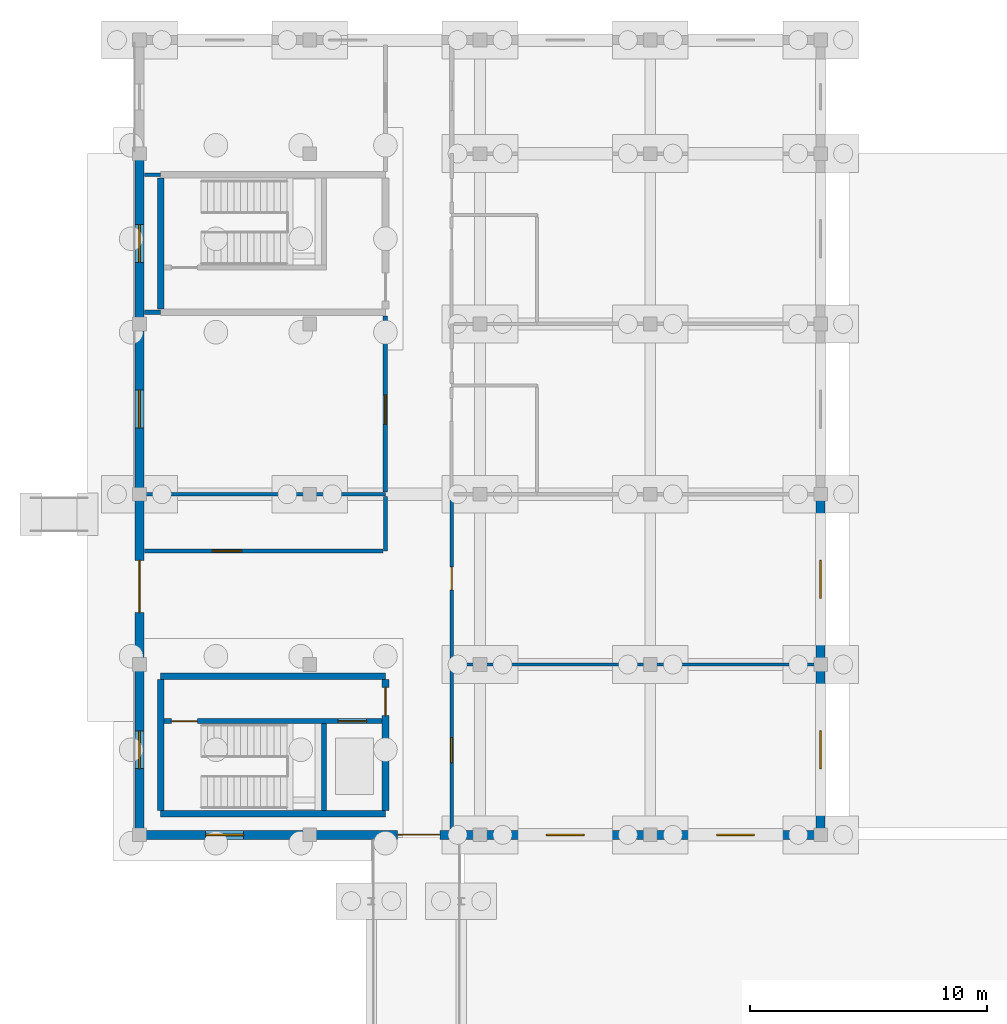
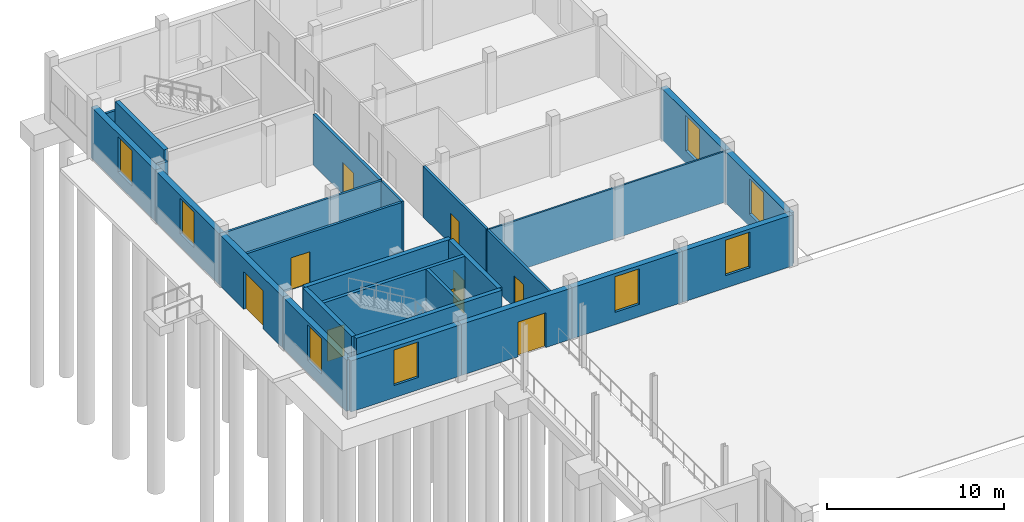
# One storey, part 79 of 98: 26 walls, 9 doors, 8 windows, 17 openings.
"""IFC4 building model written with IfcOpenShell, lengths in metres."""

from ifc_helpers import new_model, si_unit, direction, frame, frame_2d, origin, place, context, subcontext, project, spatial, rectangle, extrude, material, layer, layer_set, type_object, element, fill, save


model = new_model("IFC4")

# Units and contexts
model_context = context("Model", 3, precision=1e-05, world=origin(), true_north=direction((0.0, 1.0)))
body_context = subcontext(model_context, "Body", "Model", "MODEL_VIEW")
ifc_project = project(units=[si_unit("LENGTHUNIT", "METRE"), si_unit("AREAUNIT", "SQUARE_METRE"), si_unit("VOLUMEUNIT", "CUBIC_METRE"), si_unit("PLANEANGLEUNIT", "RADIAN"), si_unit("MASSUNIT", "GRAM", prefix="KILO")], contexts=[model_context])

# Site, building, storey
site_placement = place(None, origin())
site = spatial("IfcSite", under=ifc_project, at=site_placement, CompositionType="ELEMENT")
building_placement = place(site_placement, origin())
building = spatial("IfcBuilding", under=site, at=building_placement, Name="Zornivar Specialist Clinic", CompositionType="ELEMENT")
storey_placement = place(building_placement, origin())
storey = spatial("IfcBuildingStorey", under=building, at=storey_placement, Name="L00", CompositionType="ELEMENT", Elevation=0.0)

# Wall, opening, window
ifc_material_1 = material(Name="Masonry Vratsa Limestone and Brick Banded Wall", Category="masonry")
ifc_layer_1 = layer(ifc_material_1, 0.3798828125)
ifc_layer_set_1 = layer_set([ifc_layer_1], Name="Masonry Vratsa Limestone and Brick Banded Wall")
wall_type_1 = type_object("IfcWallType", Name="EW-LIMESTONE-380", PredefinedType="SOLIDWALL", material=ifc_layer_set_1)
wall_1_placement = place(storey_placement, frame((0.0, 79.199951171875, 0.0), z_axis=(0.0, 0.0, 1.0), x_axis=(1.0, 0.0, 0.0)))
wall_1 = element("IfcWall", 1, at=wall_1_placement, inside=storey, type_object=wall_type_1, Name="ew:V5:L00:00", PredefinedType="SOLIDWALL", context=body_context, shape_type="SweptSolid", body=[
    extrude(rectangle(XDim=7.199951171875, YDim=0.3798828125, at=frame_2d((3.60009765625, 0.0))), origin(), (0.0, 0.0, 1.0), 3.52001953125),
])
opening_1_placement = place(wall_1_placement, frame((2.800048828125, 0.0, 0.85009765625)))
opening_1 = element("IfcOpeningElement", 2, at=opening_1_placement, cuts=wall_1, Name="Opening W-01", PredefinedType="OPENING", context=body_context, shape_type="SweptSolid", body=[
    extrude(rectangle(XDim=1.60009765625, YDim=2.449951171875, at=frame_2d((0.800048828125, 1.22509765625))), frame((0.0, 0.199951171875, 0.0), z_axis=(0.0, -1.0, 0.0), x_axis=(1.0, 0.0, 0.0)), (0.0, 0.0, 1.0), 0.39990234375),
])
ifc_material_2 = material(Name="Triple-Glazed Aluminium-Timber Window Glass", Category="wood")
window_type = type_object("IfcWindowType", Name="WIN-PLINTH-MOD-1600x2450", PartitioningType="SINGLE_PANEL", PredefinedType="WINDOW", material=ifc_material_2)
window_1_placement = place(opening_1_placement, origin())
window_1 = element("IfcWindow", 3, at=window_1_placement, inside=storey, type_object=window_type, Name="win:V5:L00:00", OverallHeight=2.449951171875, OverallWidth=1.60009765625, PartitioningType="SINGLE_PANEL", PredefinedType="WINDOW", context=body_context, shape_type="SweptSolid", body=[
    extrude(rectangle(XDim=1.60009765625, YDim=2.449951171875, at=frame_2d((0.800048828125, 1.22509765625))), frame((0.0, 0.030029296875, 0.0), z_axis=(0.0, -1.0, 0.0), x_axis=(1.0, 0.0, 0.0)), (0.0, 0.0, 1.0), 0.06005859375),
])
fill(opening_1, window_1)

# Wall, opening, door
wall_2_placement = place(storey_placement, frame((7.199951171875, 79.199951171875, 0.0), z_axis=(0.0, 0.0, 1.0), x_axis=(1.0, 0.0, 0.0)))
wall_2 = element("IfcWall", 4, at=wall_2_placement, inside=storey, type_object=wall_type_1, Name="ew:V5:L00:01", PredefinedType="SOLIDWALL", context=body_context, shape_type="SweptSolid", body=[
    extrude(rectangle(XDim=7.199951171875, YDim=0.3798828125, at=frame_2d((3.60009765625, 0.0))), origin(), (0.0, 0.0, 1.0), 3.52001953125),
])
opening_2_placement = place(wall_2_placement, frame((3.699951171875, 0.0, 0.0)))
opening_2 = element("IfcOpeningElement", 5, at=opening_2_placement, cuts=wall_2, Name="Opening ED-03", PredefinedType="OPENING", context=body_context, shape_type="SweptSolid", body=[
    extrude(rectangle(XDim=1.800048828125, YDim=2.39990234375, at=frame_2d((0.89990234375, 1.199951171875))), frame((0.0, 0.199951171875, 0.0), z_axis=(0.0, -1.0, 0.0), x_axis=(1.0, 0.0, 0.0)), (0.0, 0.0, 1.0), 0.39990234375),
])
ifc_material_3 = material(Name="Thermally Broken Glazed Aluminium Door", Category="aluminium")
door_type_1 = type_object("IfcDoorType", Name="ED-ENTRY-1800x2400", OperationType="NOTDEFINED", PredefinedType="DOOR", material=ifc_material_3)
door_1_placement = place(opening_2_placement, origin())
door_1 = element("IfcDoor", 6, at=door_1_placement, inside=storey, type_object=door_type_1, Name="door:V5:L00:br2", OperationType="DOUBLE_DOOR_SINGLE_SWING", OverallHeight=2.39990234375, OverallWidth=1.800048828125, PredefinedType="DOOR", context=body_context, shape_type="SweptSolid", body=[
    extrude(rectangle(XDim=1.800048828125, YDim=2.39990234375, at=frame_2d((0.89990234375, 1.199951171875))), frame((0.0, 0.02490234375, 0.0), z_axis=(0.0, -1.0, 0.0), x_axis=(1.0, 0.0, 0.0)), (0.0, 0.0, 1.0), 0.050048828125),
])
fill(opening_2, door_1)

# Wall, opening, window
wall_3_placement = place(storey_placement, frame((14.39990234375, 79.199951171875, 0.0), z_axis=(0.0, 0.0, 1.0), x_axis=(1.0, 0.0, 0.0)))
wall_3 = element("IfcWall", 7, at=wall_3_placement, inside=storey, type_object=wall_type_1, Name="ew:V5:L00:02", PredefinedType="SOLIDWALL", context=body_context, shape_type="SweptSolid", body=[
    extrude(rectangle(XDim=7.2001953125, YDim=0.3798828125, at=frame_2d((3.60009765625, 0.0))), origin(), (0.0, 0.0, 1.0), 3.52001953125),
])
opening_3_placement = place(wall_3_placement, frame((2.800048828125, 0.0, 0.85009765625)))
opening_3 = element("IfcOpeningElement", 8, at=opening_3_placement, cuts=wall_3, Name="Opening W-01", PredefinedType="OPENING", context=body_context, shape_type="SweptSolid", body=[
    extrude(rectangle(XDim=1.60009765625, YDim=2.449951171875, at=frame_2d((0.800048828125, 1.22509765625))), frame((0.0, 0.199951171875, 0.0), z_axis=(0.0, -1.0, 0.0), x_axis=(1.0, 0.0, 0.0)), (0.0, 0.0, 1.0), 0.39990234375),
])
window_2_placement = place(opening_3_placement, origin())
window_2 = element("IfcWindow", 9, at=window_2_placement, inside=storey, type_object=window_type, Name="win:V5:L00:02", OverallHeight=2.449951171875, OverallWidth=1.60009765625, PartitioningType="SINGLE_PANEL", PredefinedType="WINDOW", context=body_context, shape_type="SweptSolid", body=[
    extrude(rectangle(XDim=1.60009765625, YDim=2.449951171875, at=frame_2d((0.800048828125, 1.22509765625))), frame((0.0, 0.030029296875, 0.0), z_axis=(0.0, -1.0, 0.0), x_axis=(1.0, 0.0, 0.0)), (0.0, 0.0, 1.0), 0.06005859375),
])
fill(opening_3, window_2)

wall_4_placement = place(storey_placement, frame((21.60009765625, 79.199951171875, 0.0), z_axis=(0.0, 0.0, 1.0), x_axis=(1.0, 0.0, 0.0)))
wall_4 = element("IfcWall", 10, at=wall_4_placement, inside=storey, type_object=wall_type_1, Name="ew:V5:L00:03", PredefinedType="SOLIDWALL", context=body_context, shape_type="SweptSolid", body=[
    extrude(rectangle(XDim=7.199951171875, YDim=0.3798828125, at=frame_2d((3.60009765625, 0.0))), origin(), (0.0, 0.0, 1.0), 3.52001953125),
])
opening_4_placement = place(wall_4_placement, frame((2.800048828125, 0.0, 0.85009765625)))
opening_4 = element("IfcOpeningElement", 11, at=opening_4_placement, cuts=wall_4, Name="Opening W-01", PredefinedType="OPENING", context=body_context, shape_type="SweptSolid", body=[
    extrude(rectangle(XDim=1.60009765625, YDim=2.449951171875, at=frame_2d((0.800048828125, 1.22509765625))), frame((0.0, 0.199951171875, 0.0), z_axis=(0.0, -1.0, 0.0), x_axis=(1.0, 0.0, 0.0)), (0.0, 0.0, 1.0), 0.39990234375),
])
window_3_placement = place(opening_4_placement, origin())
window_3 = element("IfcWindow", 12, at=window_3_placement, inside=storey, type_object=window_type, Name="win:V5:L00:03", OverallHeight=2.449951171875, OverallWidth=1.60009765625, PartitioningType="SINGLE_PANEL", PredefinedType="WINDOW", context=body_context, shape_type="SweptSolid", body=[
    extrude(rectangle(XDim=1.60009765625, YDim=2.449951171875, at=frame_2d((0.800048828125, 1.22509765625))), frame((0.0, 0.030029296875, 0.0), z_axis=(0.0, -1.0, 0.0), x_axis=(1.0, 0.0, 0.0)), (0.0, 0.0, 1.0), 0.06005859375),
])
fill(opening_4, window_3)

wall_5_placement = place(storey_placement, frame((28.800048828125, 79.199951171875, 0.0), z_axis=(0.0, 0.0, 1.0), x_axis=(0.0, 1.0, 0.0)))
wall_5 = element("IfcWall", 13, at=wall_5_placement, inside=storey, type_object=wall_type_1, Name="ew:V5:L00:04", PredefinedType="SOLIDWALL", context=body_context, shape_type="SweptSolid", body=[
    extrude(rectangle(XDim=7.199951171875, YDim=0.3798828125, at=frame_2d((3.60009765625, 0.0))), origin(), (0.0, 0.0, 1.0), 3.52001953125),
])
opening_5_placement = place(wall_5_placement, frame((2.800048828125, 0.0, 0.85009765625)))
opening_5 = element("IfcOpeningElement", 14, at=opening_5_placement, cuts=wall_5, Name="Opening W-01", PredefinedType="OPENING", context=body_context, shape_type="SweptSolid", body=[
    extrude(rectangle(XDim=1.60009765625, YDim=2.449951171875, at=frame_2d((0.800048828125, 1.22509765625))), frame((0.0, 0.199951171875, 0.0), z_axis=(0.0, -1.0, 0.0), x_axis=(1.0, 0.0, 0.0)), (0.0, 0.0, 1.0), 0.39990234375),
])
window_4_placement = place(opening_5_placement, origin())
window_4 = element("IfcWindow", 15, at=window_4_placement, inside=storey, type_object=window_type, Name="win:V5:L00:04", OverallHeight=2.449951171875, OverallWidth=1.60009765625, PartitioningType="SINGLE_PANEL", PredefinedType="WINDOW", context=body_context, shape_type="SweptSolid", body=[
    extrude(rectangle(XDim=1.60009765625, YDim=2.449951171875, at=frame_2d((0.800048828125, 1.22509765625))), frame((0.0, 0.030029296875, 0.0), z_axis=(0.0, -1.0, 0.0), x_axis=(1.0, 0.0, 0.0)), (0.0, 0.0, 1.0), 0.06005859375),
])
fill(opening_5, window_4)

wall_6_placement = place(storey_placement, frame((28.800048828125, 86.39990234375, 0.0), z_axis=(0.0, 0.0, 1.0), x_axis=(0.0, 1.0, 0.0)))
wall_6 = element("IfcWall", 16, at=wall_6_placement, inside=storey, type_object=wall_type_1, Name="ew:V5:L00:05", PredefinedType="SOLIDWALL", context=body_context, shape_type="SweptSolid", body=[
    extrude(rectangle(XDim=7.2001953125, YDim=0.3798828125, at=frame_2d((3.60009765625, 0.0))), origin(), (0.0, 0.0, 1.0), 3.52001953125),
])
opening_6_placement = place(wall_6_placement, frame((2.800048828125, 0.0, 0.85009765625)))
opening_6 = element("IfcOpeningElement", 17, at=opening_6_placement, cuts=wall_6, Name="Opening W-01", PredefinedType="OPENING", context=body_context, shape_type="SweptSolid", body=[
    extrude(rectangle(XDim=1.60009765625, YDim=2.449951171875, at=frame_2d((0.800048828125, 1.22509765625))), frame((0.0, 0.199951171875, 0.0), z_axis=(0.0, -1.0, 0.0), x_axis=(1.0, 0.0, 0.0)), (0.0, 0.0, 1.0), 0.39990234375),
])
window_5_placement = place(opening_6_placement, origin())
window_5 = element("IfcWindow", 18, at=window_5_placement, inside=storey, type_object=window_type, Name="win:V5:L00:05", OverallHeight=2.449951171875, OverallWidth=1.60009765625, PartitioningType="SINGLE_PANEL", PredefinedType="WINDOW", context=body_context, shape_type="SweptSolid", body=[
    extrude(rectangle(XDim=1.60009765625, YDim=2.449951171875, at=frame_2d((0.800048828125, 1.22509765625))), frame((0.0, 0.030029296875, 0.0), z_axis=(0.0, -1.0, 0.0), x_axis=(1.0, 0.0, 0.0)), (0.0, 0.0, 1.0), 0.06005859375),
])
fill(opening_6, window_5)

wall_7_placement = place(storey_placement, frame((0.0, 108.0, 0.0), z_axis=(0.0, 0.0, 1.0), x_axis=(0.0, -1.0, 0.0)))
wall_7 = element("IfcWall", 19, at=wall_7_placement, inside=storey, type_object=wall_type_1, Name="ew:V5:L00:14", PredefinedType="SOLIDWALL", context=body_context, shape_type="SweptSolid", body=[
    extrude(rectangle(XDim=7.199951171875, YDim=0.3798828125, at=frame_2d((3.60009765625, 0.0))), origin(), (0.0, 0.0, 1.0), 3.52001953125),
])
opening_7_placement = place(wall_7_placement, frame((3.0, 0.0, 0.85009765625)))
opening_7 = element("IfcOpeningElement", 20, at=opening_7_placement, cuts=wall_7, Name="Opening W-01", PredefinedType="OPENING", context=body_context, shape_type="SweptSolid", body=[
    extrude(rectangle(XDim=1.60009765625, YDim=2.449951171875, at=frame_2d((0.800048828125, 1.22509765625))), frame((0.0, 0.199951171875, 0.0), z_axis=(0.0, -1.0, 0.0), x_axis=(1.0, 0.0, 0.0)), (0.0, 0.0, 1.0), 0.39990234375),
])
window_6_placement = place(opening_7_placement, origin())
window_6 = element("IfcWindow", 21, at=window_6_placement, inside=storey, type_object=window_type, Name="win:V5:L00:14", OverallHeight=2.449951171875, OverallWidth=1.60009765625, PartitioningType="SINGLE_PANEL", PredefinedType="WINDOW", context=body_context, shape_type="SweptSolid", body=[
    extrude(rectangle(XDim=1.60009765625, YDim=2.449951171875, at=frame_2d((0.800048828125, 1.22509765625))), frame((0.0, 0.030029296875, 0.0), z_axis=(0.0, -1.0, 0.0), x_axis=(1.0, 0.0, 0.0)), (0.0, 0.0, 1.0), 0.06005859375),
])
fill(opening_7, window_6)

wall_8_placement = place(storey_placement, frame((0.0, 100.800048828125, 0.0), z_axis=(0.0, 0.0, 1.0), x_axis=(0.0, -1.0, 0.0)))
wall_8 = element("IfcWall", 22, at=wall_8_placement, inside=storey, type_object=wall_type_1, Name="ew:V5:L00:15", PredefinedType="SOLIDWALL", context=body_context, shape_type="SweptSolid", body=[
    extrude(rectangle(XDim=7.199951171875, YDim=0.3798828125, at=frame_2d((3.60009765625, 0.0))), origin(), (0.0, 0.0, 1.0), 3.52001953125),
])
opening_8_placement = place(wall_8_placement, frame((2.800048828125, 0.0, 0.85009765625)))
opening_8 = element("IfcOpeningElement", 23, at=opening_8_placement, cuts=wall_8, Name="Opening W-01", PredefinedType="OPENING", context=body_context, shape_type="SweptSolid", body=[
    extrude(rectangle(XDim=1.60009765625, YDim=2.449951171875, at=frame_2d((0.800048828125, 1.22509765625))), frame((0.0, 0.199951171875, 0.0), z_axis=(0.0, -1.0, 0.0), x_axis=(1.0, 0.0, 0.0)), (0.0, 0.0, 1.0), 0.39990234375),
])
window_7_placement = place(opening_8_placement, origin())
window_7 = element("IfcWindow", 24, at=window_7_placement, inside=storey, type_object=window_type, Name="win:V5:L00:15", OverallHeight=2.449951171875, OverallWidth=1.60009765625, PartitioningType="SINGLE_PANEL", PredefinedType="WINDOW", context=body_context, shape_type="SweptSolid", body=[
    extrude(rectangle(XDim=1.60009765625, YDim=2.449951171875, at=frame_2d((0.800048828125, 1.22509765625))), frame((0.0, 0.030029296875, 0.0), z_axis=(0.0, -1.0, 0.0), x_axis=(1.0, 0.0, 0.0)), (0.0, 0.0, 1.0), 0.06005859375),
])
fill(opening_8, window_7)

# Wall, opening, door
wall_9_placement = place(storey_placement, frame((0.0, 93.60009765625, 0.0), z_axis=(0.0, 0.0, 1.0), x_axis=(0.0, -1.0, 0.0)))
wall_9 = element("IfcWall", 25, at=wall_9_placement, inside=storey, type_object=wall_type_1, Name="ew:V5:L00:16", PredefinedType="SOLIDWALL", context=body_context, shape_type="SweptSolid", body=[
    extrude(rectangle(XDim=7.2001953125, YDim=0.3798828125, at=frame_2d((3.60009765625, 0.0))), origin(), (0.0, 0.0, 1.0), 3.52001953125),
])
opening_9_placement = place(wall_9_placement, frame((2.800048828125, 0.0, 0.0)))
opening_9 = element("IfcOpeningElement", 26, at=opening_9_placement, cuts=wall_9, Name="Opening ED-01", PredefinedType="OPENING", context=body_context, shape_type="SweptSolid", body=[
    extrude(rectangle(XDim=2.199951171875, YDim=2.60009765625, at=frame_2d((1.10009765625, 1.300048828125))), frame((0.0, 0.199951171875, 0.0), z_axis=(0.0, -1.0, 0.0), x_axis=(1.0, 0.0, 0.0)), (0.0, 0.0, 1.0), 0.39990234375),
])
ifc_material_4 = material(Name="Thermally Broken Glazed Aluminium Door", Category="aluminium")
door_type_2 = type_object("IfcDoorType", Name="ED-MAIN-2200x2600", OperationType="NOTDEFINED", PredefinedType="DOOR", material=ifc_material_4)
door_2_placement = place(opening_9_placement, frame((2.199951171875, 0.0, 0.0), z_axis=(0.0, 0.0, 1.0), x_axis=(-1.0, 0.0, 0.0)))
door_2 = element("IfcDoor", 27, at=door_2_placement, inside=storey, type_object=door_type_2, Name="door:V5:L00:16", OperationType="DOUBLE_DOOR_SINGLE_SWING", OverallHeight=2.60009765625, OverallWidth=2.199951171875, PredefinedType="DOOR", context=body_context, shape_type="SweptSolid", body=[
    extrude(rectangle(XDim=2.199951171875, YDim=2.60009765625, at=frame_2d((1.10009765625, 1.300048828125))), frame((0.0, 0.02490234375, 0.0), z_axis=(0.0, -1.0, 0.0), x_axis=(1.0, 0.0, 0.0)), (0.0, 0.0, 1.0), 0.050048828125),
])
fill(opening_9, door_2)

# Wall, opening, window
wall_10_placement = place(storey_placement, frame((0.0, 86.39990234375, 0.0), z_axis=(0.0, 0.0, 1.0), x_axis=(0.0, -1.0, 0.0)))
wall_10 = element("IfcWall", 28, at=wall_10_placement, inside=storey, type_object=wall_type_1, Name="ew:V5:L00:17", PredefinedType="SOLIDWALL", context=body_context, shape_type="SweptSolid", body=[
    extrude(rectangle(XDim=7.199951171875, YDim=0.3798828125, at=frame_2d((3.60009765625, 0.0))), origin(), (0.0, 0.0, 1.0), 3.52001953125),
])
opening_10_placement = place(wall_10_placement, frame((2.800048828125, 0.0, 0.85009765625)))
opening_10 = element("IfcOpeningElement", 29, at=opening_10_placement, cuts=wall_10, Name="Opening W-01", PredefinedType="OPENING", context=body_context, shape_type="SweptSolid", body=[
    extrude(rectangle(XDim=1.60009765625, YDim=2.449951171875, at=frame_2d((0.800048828125, 1.22509765625))), frame((0.0, 0.199951171875, 0.0), z_axis=(0.0, -1.0, 0.0), x_axis=(1.0, 0.0, 0.0)), (0.0, 0.0, 1.0), 0.39990234375),
])
window_8_placement = place(opening_10_placement, origin())
window_8 = element("IfcWindow", 30, at=window_8_placement, inside=storey, type_object=window_type, Name="win:V5:L00:17", OverallHeight=2.449951171875, OverallWidth=1.60009765625, PartitioningType="SINGLE_PANEL", PredefinedType="WINDOW", context=body_context, shape_type="SweptSolid", body=[
    extrude(rectangle(XDim=1.60009765625, YDim=2.449951171875, at=frame_2d((0.800048828125, 1.22509765625))), frame((0.0, 0.030029296875, 0.0), z_axis=(0.0, -1.0, 0.0), x_axis=(1.0, 0.0, 0.0)), (0.0, 0.0, 1.0), 0.06005859375),
])
fill(opening_10, window_8)

# Wall
ifc_material_5 = material(Name="Gypsum Fire-Rated Double Stud Partition")
ifc_layer_2 = layer(ifc_material_5, 0.159912109375)
ifc_layer_set_2 = layer_set([ifc_layer_2], Name="Gypsum Fire-Rated Double Stud Partition")
wall_type_2 = type_object("IfcWallType", Name="IW-CORR-EI60-160", PredefinedType="PARTITIONING", material=ifc_layer_set_2)
wall_11_placement = place(storey_placement, frame((10.39990234375, 93.510986328125, 0.0), z_axis=(0.0, 0.0, 1.0), x_axis=(0.0, -1.0, 0.0)))
element("IfcWall", 31, at=wall_11_placement, inside=storey, type_object=wall_type_2, Name="iw:L00:174", PredefinedType="PARTITIONING", context=body_context, shape_type="SweptSolid", body=[
    extrude(rectangle(XDim=2.31103515625, YDim=0.159912109375, at=frame_2d((1.155517578125, 0.0))), origin(), (0.0, 0.0, 1.0), 3.5),
])

# Wall, opening, door
wall_12_placement = place(storey_placement, frame((10.305908203125, 91.199951171875, 0.0), z_axis=(0.0, 0.0, 1.0), x_axis=(-1.0, 0.0, 0.0)))
wall_12 = element("IfcWall", 32, at=wall_12_placement, inside=storey, type_object=wall_type_2, Name="iw:L00:175", PredefinedType="PARTITIONING", context=body_context, shape_type="SweptSolid", body=[
    extrude(rectangle(XDim=10.100830078125, YDim=0.159912109375, at=frame_2d((5.05029296875, 0.0))), origin(), (0.0, 0.0, 1.0), 3.5),
])
opening_11_placement = place(wall_12_placement, frame((5.97998046875, 0.0, 0.0)))
opening_11 = element("IfcOpeningElement", 33, at=opening_11_placement, cuts=wall_12, Name="Opening FD-06", PredefinedType="OPENING", context=body_context, shape_type="SweptSolid", body=[
    extrude(rectangle(XDim=1.25, YDim=2.199951171875, at=frame_2d((0.625, 1.10009765625))), frame((0.0, 0.08984375, 0.0), z_axis=(0.0, -1.0, 0.0), x_axis=(1.0, 0.0, 0.0)), (0.0, 0.0, 1.0), 0.179931640625),
])
ifc_material_6 = material(Name="Solid-Core Hygienic Laminate Timber Door", Category="wood")
door_type_3 = type_object("IfcDoorType", Name="FD-PHARM-GMP-1250x2200", OperationType="NOTDEFINED", PredefinedType="DOOR", material=ifc_material_6)
door_3_placement = place(opening_11_placement, origin())
door_3 = element("IfcDoor", 34, at=door_3_placement, inside=storey, type_object=door_type_3, Name="door:space:V5:L00:rm:00", OperationType="SINGLE_SWING_RIGHT", OverallHeight=2.199951171875, OverallWidth=1.25, PredefinedType="DOOR", context=body_context, shape_type="SweptSolid", body=[
    extrude(rectangle(XDim=1.25, YDim=2.199951171875, at=frame_2d((0.625, 1.10009765625))), frame((0.0, 0.02490234375, 0.0), z_axis=(0.0, -1.0, 0.0), x_axis=(1.0, 0.0, 0.0)), (0.0, 0.0, 1.0), 0.050048828125),
])
fill(opening_11, door_3)

wall_13_placement = place(storey_placement, frame((13.199951171875, 79.405029296875, 0.0), z_axis=(0.0, 0.0, 1.0), x_axis=(0.0, 1.0, 0.0)))
wall_13 = element("IfcWall", 35, at=wall_13_placement, inside=storey, type_object=wall_type_2, Name="iw:L00:180", PredefinedType="PARTITIONING", context=body_context, shape_type="SweptSolid", body=[
    extrude(rectangle(XDim=6.994873046875, YDim=0.159912109375, at=frame_2d((3.49755859375, 0.0))), origin(), (0.0, 0.0, 1.0), 3.5),
])
opening_12_placement = place(wall_13_placement, frame((2.85400390625, 0.0, 0.0)))
opening_12 = element("IfcOpeningElement", 36, at=opening_12_placement, cuts=wall_13, Name="Opening ID-15", PredefinedType="OPENING", context=body_context, shape_type="SweptSolid", body=[
    extrude(rectangle(XDim=1.050048828125, YDim=2.199951171875, at=frame_2d((0.52490234375, 1.10009765625))), frame((0.0, 0.08984375, 0.0), z_axis=(0.0, -1.0, 0.0), x_axis=(1.0, 0.0, 0.0)), (0.0, 0.0, 1.0), 0.179931640625),
])
ifc_material_7 = material(Name="Solid-Core Hygienic Laminate Timber Door", Category="wood")
door_type_4 = type_object("IfcDoorType", Name="ID-COUNS-1050x2200", OperationType="NOTDEFINED", PredefinedType="DOOR", material=ifc_material_7)
door_4_placement = place(opening_12_placement, origin())
door_4 = element("IfcDoor", 37, at=door_4_placement, inside=storey, type_object=door_type_4, Name="door:space:V5:L00:rm:03", OperationType="SINGLE_SWING_LEFT", OverallHeight=2.199951171875, OverallWidth=1.050048828125, PredefinedType="DOOR", context=body_context, shape_type="SweptSolid", body=[
    extrude(rectangle(XDim=1.050048828125, YDim=2.199951171875, at=frame_2d((0.52490234375, 1.10009765625))), frame((0.0, 0.02490234375, 0.0), z_axis=(0.0, -1.0, 0.0), x_axis=(1.0, 0.0, 0.0)), (0.0, 0.0, 1.0), 0.050048828125),
])
fill(opening_12, door_4)

wall_14_placement = place(storey_placement, frame((13.199951171875, 86.47412109375, 0.0), z_axis=(0.0, 0.0, 1.0), x_axis=(0.0, 1.0, 0.0)))
wall_14 = element("IfcWall", 38, at=wall_14_placement, inside=storey, type_object=wall_type_2, Name="iw:L00:182", PredefinedType="PARTITIONING", context=body_context, shape_type="SweptSolid", body=[
    extrude(rectangle(XDim=7.1259765625, YDim=0.159912109375, at=frame_2d((3.56298828125, 0.0))), origin(), (0.0, 0.0, 1.0), 3.5),
])
opening_13_placement = place(wall_14_placement, frame((3.072998046875, 0.0, 0.0)))
opening_13 = element("IfcOpeningElement", 39, at=opening_13_placement, cuts=wall_14, Name="Opening ID-09", PredefinedType="OPENING", context=body_context, shape_type="SweptSolid", body=[
    extrude(rectangle(XDim=0.97998046875, YDim=2.14990234375, at=frame_2d((0.489990234375, 1.074951171875))), frame((0.0, 0.08984375, 0.0), z_axis=(0.0, -1.0, 0.0), x_axis=(1.0, 0.0, 0.0)), (0.0, 0.0, 1.0), 0.179931640625),
])
ifc_material_8 = material(Name="Solid-Core Hygienic Laminate Timber Door", Category="wood")
door_type_5 = type_object("IfcDoorType", Name="ID-STAFF-0980x2150", OperationType="NOTDEFINED", PredefinedType="DOOR", material=ifc_material_8)
door_5_placement = place(opening_13_placement, origin())
door_5 = element("IfcDoor", 40, at=door_5_placement, inside=storey, type_object=door_type_5, Name="door:space:V5:L00:rm:04", OperationType="SINGLE_SWING_RIGHT", OverallHeight=2.14990234375, OverallWidth=0.97998046875, PredefinedType="DOOR", context=body_context, shape_type="SweptSolid", body=[
    extrude(rectangle(XDim=0.97998046875, YDim=2.14990234375, at=frame_2d((0.489990234375, 1.074951171875))), frame((0.0, 0.02490234375, 0.0), z_axis=(0.0, -1.0, 0.0), x_axis=(1.0, 0.0, 0.0)), (0.0, 0.0, 1.0), 0.050048828125),
])
fill(opening_13, door_5)

# Walls
ifc_material_9 = material(Name="Acoustic Glazed Consultation Partition")
ifc_layer_3 = layer(ifc_material_9, 0.1201171875)
ifc_layer_set_3 = layer_set([ifc_layer_3], Name="Acoustic Glazed Consultation Partition")
wall_type_3 = type_object("IfcWallType", Name="IW-GLAZ-120", PredefinedType="PARTITIONING", material=ifc_layer_set_3)
wall_15_placement = place(storey_placement, frame((13.2939453125, 86.39990234375, 0.0), z_axis=(0.0, 0.0, 1.0), x_axis=(1.0, 0.0, 0.0)))
element("IfcWall", 41, at=wall_15_placement, inside=storey, type_object=wall_type_3, Name="iw:L00:181", PredefinedType="PARTITIONING", context=body_context, shape_type="SweptSolid", body=[
    extrude(rectangle(XDim=15.301025390625, YDim=0.1201171875, at=frame_2d((7.650390625, 0.0))), origin(), (0.0, 0.0, 1.0), 3.5),
])
ifc_material_10 = material(Name="GMP Cleanroom Insulated Double Partition")
ifc_layer_4 = layer(ifc_material_10, 0.18994140625)
ifc_layer_set_4 = layer_set([ifc_layer_4], Name="GMP Cleanroom Insulated Double Partition")
wall_type_4 = type_object("IfcWallType", Name="IW-PHARM-GMP-190", PredefinedType="PARTITIONING", material=ifc_layer_set_4)
wall_16_placement = place(storey_placement, frame((0.205078125, 101.300048828125, 0.0), z_axis=(0.0, 0.0, 1.0), x_axis=(1.0, 0.0, 0.0)))
element("IfcWall", 42, at=wall_16_placement, inside=storey, type_object=wall_type_4, Name="iw:L00:176", PredefinedType="PARTITIONING", context=body_context, shape_type="SweptSolid", body=[
    extrude(rectangle(XDim=0.69482421875, YDim=0.18994140625, at=frame_2d((0.347412109375, 0.0))), origin(), (0.0, 0.0, 1.0), 3.5),
])

# Wall, opening, door
wall_17_placement = place(storey_placement, frame((10.39990234375, 101.14501953125, 0.0), z_axis=(0.0, 0.0, 1.0), x_axis=(0.0, -1.0, 0.0)))
wall_17 = element("IfcWall", 43, at=wall_17_placement, inside=storey, type_object=wall_type_4, Name="iw:L00:177", PredefinedType="PARTITIONING", context=body_context, shape_type="SweptSolid", body=[
    extrude(rectangle(XDim=7.4560546875, YDim=0.18994140625, at=frame_2d((3.72802734375, 0.0))), origin(), (0.0, 0.0, 1.0), 3.5),
])
opening_14_placement = place(wall_17_placement, frame((3.341064453125, 0.0, 0.0)))
opening_14 = element("IfcOpeningElement", 44, at=opening_14_placement, cuts=wall_17, Name="Opening FD-06", PredefinedType="OPENING", context=body_context, shape_type="SweptSolid", body=[
    extrude(rectangle(XDim=1.25, YDim=2.199951171875, at=frame_2d((0.625, 1.10009765625))), frame((0.0, 0.10498046875, 0.0), z_axis=(0.0, -1.0, 0.0), x_axis=(1.0, 0.0, 0.0)), (0.0, 0.0, 1.0), 0.2099609375),
])
door_6_placement = place(opening_14_placement, origin())
door_6 = element("IfcDoor", 45, at=door_6_placement, inside=storey, type_object=door_type_3, Name="door:space:V5:L00:rm:01", OperationType="SINGLE_SWING_LEFT", OverallHeight=2.199951171875, OverallWidth=1.25, PredefinedType="DOOR", context=body_context, shape_type="SweptSolid", body=[
    extrude(rectangle(XDim=1.25, YDim=2.199951171875, at=frame_2d((0.625, 1.10009765625))), frame((0.0, 0.02490234375, 0.0), z_axis=(0.0, -1.0, 0.0), x_axis=(1.0, 0.0, 0.0)), (0.0, 0.0, 1.0), 0.050048828125),
])
fill(opening_14, door_6)

# Walls
ifc_material_11 = material(Name="Hygienic Lead-Free Procedure Partition")
ifc_layer_5 = layer(ifc_material_11, 0.14990234375)
ifc_layer_set_5 = layer_set([ifc_layer_5], Name="Hygienic Lead-Free Procedure Partition")
wall_type_5 = type_object("IfcWallType", Name="IW-PROC-150", PredefinedType="PARTITIONING", material=ifc_layer_set_5)
wall_18_placement = place(storey_placement, frame((0.205078125, 93.60009765625, 0.0), z_axis=(0.0, 0.0, 1.0), x_axis=(1.0, 0.0, 0.0)))
element("IfcWall", 46, at=wall_18_placement, inside=storey, type_object=wall_type_5, Name="iw:L00:173", PredefinedType="PARTITIONING", context=body_context, shape_type="SweptSolid", body=[
    extrude(rectangle(XDim=10.19482421875, YDim=0.14990234375, at=frame_2d((5.097412109375, 0.0))), origin(), (0.0, 0.0, 1.0), 3.5),
])
wall_19_placement = place(storey_placement, frame((0.89990234375, 107.10009765625, 0.0), z_axis=(0.0, 0.0, 1.0), x_axis=(-1.0, 0.0, 0.0)))
element("IfcWall", 47, at=wall_19_placement, inside=storey, type_object=wall_type_5, Name="iw:L00:179", PredefinedType="PARTITIONING", context=body_context, shape_type="SweptSolid", body=[
    extrude(rectangle(XDim=0.69482421875, YDim=0.14990234375, at=frame_2d((0.347412109375, 0.0))), origin(), (0.0, 0.0, 1.0), 3.5),
])
ifc_material_12 = material(Name="Concrete C35/45", Category="concrete")
ifc_layer_6 = layer(ifc_material_12, 0.280029296875)
ifc_layer_set_6 = layer_set([ifc_layer_6], Name="Concrete C35/45")
wall_type_6 = type_object("IfcWallType", Name="SW-CORE-280", PredefinedType="SHEAR", material=ifc_layer_set_6)
wall_20_placement = place(storey_placement, frame((0.89990234375, 80.10009765625, 0.0), z_axis=(0.0, 0.0, 1.0), x_axis=(1.0, 0.0, 0.0)))
element("IfcWall", 48, at=wall_20_placement, inside=storey, type_object=wall_type_6, Name="sw:C7:L00:w0", PredefinedType="SHEAR", context=body_context, shape_type="SweptSolid", body=[
    extrude(rectangle(XDim=9.5, YDim=0.280029296875, at=frame_2d((4.75, 0.0))), origin(), (0.0, 0.0, 1.0), 4.18994140625),
])

# Wall, opening, door
wall_21_placement = place(storey_placement, frame((10.39990234375, 80.239990234375, 0.0), z_axis=(0.0, 0.0, 1.0), x_axis=(0.0, 1.0, 0.0)))
wall_21 = element("IfcWall", 49, at=wall_21_placement, inside=storey, type_object=wall_type_6, Name="sw:C7:L00:w1", PredefinedType="SHEAR", context=body_context, shape_type="SweptSolid", body=[
    extrude(rectangle(XDim=5.52001953125, YDim=0.280029296875, at=frame_2d((2.760009765625, 0.0))), origin(), (0.0, 0.0, 1.0), 4.18994140625),
])
opening_15_placement = place(wall_21_placement, frame((4.0, 0.0, 0.0)))
opening_15 = element("IfcOpeningElement", 50, at=opening_15_placement, cuts=wall_21, Name="Opening FD-01", PredefinedType="OPENING", context=body_context, shape_type="SweptSolid", body=[
    extrude(rectangle(XDim=1.199951171875, YDim=2.25, at=frame_2d((0.60009765625, 1.125))), frame((0.0, 0.14990234375, 0.0), z_axis=(0.0, -1.0, 0.0), x_axis=(1.0, 0.0, 0.0)), (0.0, 0.0, 1.0), 0.300048828125),
])
ifc_material_13 = material(Name="Solid-Core Hygienic Laminate Timber Door", Category="wood")
door_type_6 = type_object("IfcDoorType", Name="FD-LOBBY-MAIN-1200x2250", OperationType="NOTDEFINED", PredefinedType="DOOR", material=ifc_material_13)
door_7_placement = place(opening_15_placement, origin())
door_7 = element("IfcDoor", 51, at=door_7_placement, inside=storey, type_object=door_type_6, Name="door:C7:L00:lob", OperationType="SINGLE_SWING_RIGHT", OverallHeight=2.25, OverallWidth=1.199951171875, PredefinedType="DOOR", context=body_context, shape_type="SweptSolid", body=[
    extrude(rectangle(XDim=1.199951171875, YDim=2.25, at=frame_2d((0.60009765625, 1.125))), frame((0.0, 0.02490234375, 0.0), z_axis=(0.0, -1.0, 0.0), x_axis=(1.0, 0.0, 0.0)), (0.0, 0.0, 1.0), 0.050048828125),
])
fill(opening_15, door_7)

# Walls
wall_22_placement = place(storey_placement, frame((10.39990234375, 85.89990234375, 0.0), z_axis=(0.0, 0.0, 1.0), x_axis=(-1.0, 0.0, 0.0)))
element("IfcWall", 52, at=wall_22_placement, inside=storey, type_object=wall_type_6, Name="sw:C7:L00:w2", PredefinedType="SHEAR", context=body_context, shape_type="SweptSolid", body=[
    extrude(rectangle(XDim=9.5, YDim=0.280029296875, at=frame_2d((4.75, 0.0))), origin(), (0.0, 0.0, 1.0), 4.18994140625),
])
for number, where, z_axis, x_axis, name in (
    (53, (0.89990234375, 85.760009765625, 0.0), (0.0, 0.0, 1.0), (0.0, -1.0, 0.0), "sw:C7:L00:w3"),
    (54, (0.89990234375, 106.9599609375, 0.0), (0.0, 0.0, 1.0), (0.0, -1.0, 0.0), "sw:C8:L00:w3"),
):
    element("IfcWall", number, at=place(storey_placement, frame(where, z_axis=z_axis, x_axis=x_axis)), inside=storey, type_object=wall_type_6, Name=name, PredefinedType="SHEAR", context=body_context, shape_type="SweptSolid", body=[
        extrude(rectangle(XDim=5.52001953125, YDim=0.280029296875, at=frame_2d((2.760009765625, 0.0))), origin(), (0.0, 0.0, 1.0), 4.18994140625),
    ])
ifc_material_14 = material(Name="Concrete C30/37", Category="concrete")
ifc_layer_7 = layer(ifc_material_14, 0.199951171875)
ifc_layer_set_7 = layer_set([ifc_layer_7], Name="Concrete C30/37")
wall_type_7 = type_object("IfcWallType", Name="SW-LIFT-200", PredefinedType="SHEAR", material=ifc_layer_set_7)
wall_23_placement = place(storey_placement, frame((7.800048828125, 80.239990234375, 0.0), z_axis=(0.0, 0.0, 1.0), x_axis=(0.0, 1.0, 0.0)))
element("IfcWall", 55, at=wall_23_placement, inside=storey, type_object=wall_type_7, Name="sw:C7:L00:sdiv", PredefinedType="SHEAR", context=body_context, shape_type="SweptSolid", body=[
    extrude(rectangle(XDim=3.659912109375, YDim=0.199951171875, at=frame_2d((1.830078125, 0.0))), origin(), (0.0, 0.0, 1.0), 4.18994140625),
])

# Wall, openings, doors
ifc_material_15 = material(Name="Concrete C30/37", Category="concrete")
ifc_layer_8 = layer(ifc_material_15, 0.219970703125)
ifc_layer_set_8 = layer_set([ifc_layer_8], Name="Concrete C30/37")
wall_type_8 = type_object("IfcWallType", Name="SW-SHAFT-220", PredefinedType="SHEAR", material=ifc_layer_set_8)
wall_24_placement = place(storey_placement, frame((1.0400390625, 84.010009765625, 0.0), z_axis=(0.0, 0.0, 1.0), x_axis=(1.0, 0.0, 0.0)))
wall_24 = element("IfcWall", 56, at=wall_24_placement, inside=storey, type_object=wall_type_8, Name="sw:C7:L00:stwall", PredefinedType="SHEAR", context=body_context, shape_type="SweptSolid", body=[
    extrude(rectangle(XDim=9.219970703125, YDim=0.219970703125, at=frame_2d((4.60986328125, 0.0))), origin(), (0.0, 0.0, 1.0), 4.18994140625),
])
opening_16_placement = place(wall_24_placement, frame((0.31005859375, 0.0, 0.0)))
opening_16 = element("IfcOpeningElement", 57, at=opening_16_placement, cuts=wall_24, Name="Opening FD-02", PredefinedType="OPENING", context=body_context, shape_type="SweptSolid", body=[
    extrude(rectangle(XDim=1.10009765625, YDim=2.14990234375, at=frame_2d((0.550048828125, 1.074951171875))), frame((0.0, 0.119873046875, 0.0), z_axis=(0.0, -1.0, 0.0), x_axis=(1.0, 0.0, 0.0)), (0.0, 0.0, 1.0), 0.239990234375),
])
opening_17_placement = place(wall_24_placement, frame((7.360107421875, 0.0, 0.0)))
opening_17 = element("IfcOpeningElement", 58, at=opening_17_placement, cuts=wall_24, Name="Opening LD-01", PredefinedType="OPENING", context=body_context, shape_type="SweptSolid", body=[
    extrude(rectangle(XDim=1.199951171875, YDim=2.199951171875, at=frame_2d((0.60009765625, 1.10009765625))), frame((0.0, 0.119873046875, 0.0), z_axis=(0.0, -1.0, 0.0), x_axis=(1.0, 0.0, 0.0)), (0.0, 0.0, 1.0), 0.239990234375),
])
ifc_material_16 = material(Name="Solid-Core Hygienic Laminate Timber Door", Category="wood")
door_type_7 = type_object("IfcDoorType", Name="FD-STAIR-1100x2150", OperationType="NOTDEFINED", PredefinedType="DOOR", material=ifc_material_16)
door_8_placement = place(opening_16_placement, origin())
door_8 = element("IfcDoor", 59, at=door_8_placement, inside=storey, type_object=door_type_7, Name="door:C7:L00:stair", OperationType="SINGLE_SWING_LEFT", OverallHeight=2.14990234375, OverallWidth=1.10009765625, PredefinedType="DOOR", context=body_context, shape_type="SweptSolid", body=[
    extrude(rectangle(XDim=1.10009765625, YDim=2.14990234375, at=frame_2d((0.550048828125, 1.074951171875))), frame((0.0, 0.02490234375, 0.0), z_axis=(0.0, -1.0, 0.0), x_axis=(1.0, 0.0, 0.0)), (0.0, 0.0, 1.0), 0.050048828125),
])
fill(opening_16, door_8)
ifc_material_17 = material(Name="Stainless Steel Lift Landing Sliding Door", Category="steel")
door_type_8 = type_object("IfcDoorType", Name="LD-LIFT-1200x2200", OperationType="NOTDEFINED", PredefinedType="DOOR", material=ifc_material_17)
door_9_placement = place(opening_17_placement, origin())
door_9 = element("IfcDoor", 60, at=door_9_placement, inside=storey, type_object=door_type_8, Name="door:C7:L00:lift", OperationType="DOUBLE_DOOR_SLIDING", OverallHeight=2.199951171875, OverallWidth=1.199951171875, PredefinedType="DOOR", context=body_context, shape_type="SweptSolid", body=[
    extrude(rectangle(XDim=1.199951171875, YDim=2.199951171875, at=frame_2d((0.60009765625, 1.10009765625))), frame((0.0, 0.02490234375, 0.0), z_axis=(0.0, -1.0, 0.0), x_axis=(1.0, 0.0, 0.0)), (0.0, 0.0, 1.0), 0.050048828125),
])
fill(opening_17, door_9)

save(model, "model.ifc")
